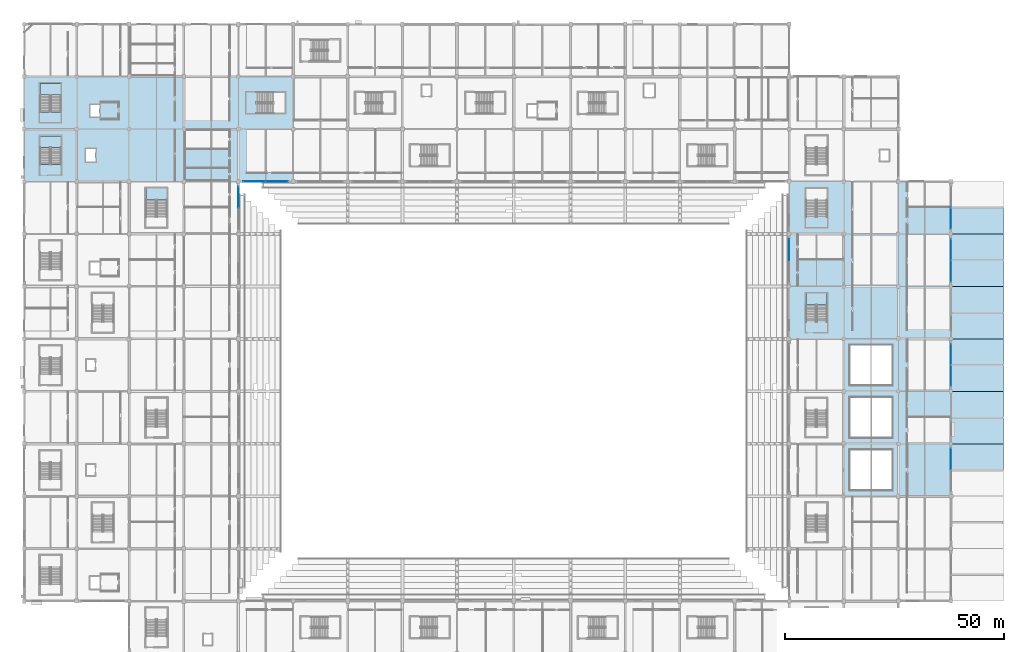
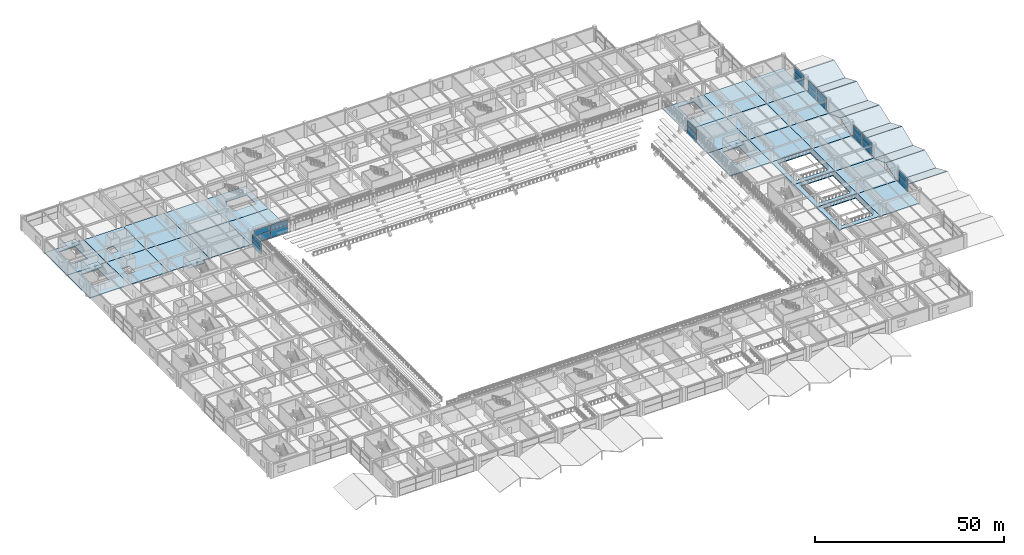
# One storey, part 69 of 134: 39 slabs, 20 plates, 11 elements without a shape of their own.
"""IFC4 building model written with IfcOpenShell, lengths in metres."""

from ifc_helpers import new_model, si_unit, direction, frame, origin, origin_2d, place, context, subcontext, project, spatial, polyline, rectangle, outline, extrude, material, layer, layer_set, type_object, element, aggregate, save


model = new_model("IFC4")

# Units and contexts
model_context = context("Model", 3, precision=1e-05, world=origin(), true_north=direction((0.0, 1.0)))
body_context = subcontext(model_context, "Body", "Model", "MODEL_VIEW")
ifc_project = project(units=[si_unit("LENGTHUNIT", "METRE"), si_unit("AREAUNIT", "SQUARE_METRE"), si_unit("VOLUMEUNIT", "CUBIC_METRE"), si_unit("PLANEANGLEUNIT", "RADIAN"), si_unit("MASSUNIT", "GRAM", prefix="KILO")], contexts=[model_context])

# Site, building, storey
site_placement = place(None, origin())
site = spatial("IfcSite", under=ifc_project, at=site_placement, CompositionType="ELEMENT")
building_placement = place(site_placement, origin())
building = spatial("IfcBuilding", under=site, at=building_placement, Name="Kazenohara Klinker Stadium", CompositionType="ELEMENT")
storey_placement = place(building_placement, frame((0.0, 0.0, 5.39990234375)))
storey = spatial("IfcBuildingStorey", under=building, at=storey_placement, Name="L01", CompositionType="ELEMENT", Elevation=5.39990234375)

# Curtain wall, plates
ifc_material_1 = material(Name="Anodised aluminium and triple glazing", Category="aluminium")
ifc_layer_1 = layer(ifc_material_1, 0.179931640625)
ifc_layer_set_1 = layer_set([ifc_layer_1], Name="Anodised aluminium and triple glazing")
curtain_wall_type_1 = type_object("IfcCurtainWallType", Name="CW-SYS-02", PredefinedType="USERDEFINED", material=ifc_layer_set_1)
curtain_wall_1_placement = place(storey_placement, origin())
curtain_wall_1 = element("IfcCurtainWall", 1, at=curtain_wall_1_placement, inside=storey, type_object=curtain_wall_type_1, Name="Unitised facade curtain wall CW02 L01 Y14-9", ObjectType="UNITISED CURTAIN WALL", PredefinedType="USERDEFINED")
ifc_material_2 = material(Name="Low-e laminated triple glazing", Category="glass")
ifc_layer_2 = layer(ifc_material_2, 0.035888671875)
ifc_layer_set_2 = layer_set([ifc_layer_2], Name="Low-e laminated triple glazing")
plate_type_1 = type_object("IfcPlateType", Name="CW-PNL-36", PredefinedType="CURTAIN_PANEL", material=ifc_layer_set_2)
plate_1_placement = place(storey_placement, frame((175.0, 116.3818359375, 0.065185546875), z_axis=(0.0, 0.0, 1.0), x_axis=(0.0, 1.0, 0.0)))
plate_1 = element("IfcPlate", 2, at=plate_1_placement, type_object=plate_type_1, Name="CW02 panel 2.1", PredefinedType="CURTAIN_PANEL", context=body_context, shape_type="SweptSolid", body=[
    extrude(rectangle(XDim=4.798583984375, YDim=0.035888671875, at=origin_2d()), origin(), (0.0, 0.0, 1.0), 2.21240234375),
])
plate_2_placement = place(storey_placement, frame((175.0, 116.3818359375, 2.342529296875), z_axis=(0.0, 0.0, 1.0), x_axis=(0.0, 1.0, 0.0)))
plate_2 = element("IfcPlate", 3, at=plate_2_placement, type_object=plate_type_1, Name="CW02 panel 2.2", PredefinedType="CURTAIN_PANEL", context=body_context, shape_type="SweptSolid", body=[
    extrude(rectangle(XDim=4.798583984375, YDim=0.035888671875, at=origin_2d()), origin(), (0.0, 0.0, 1.0), 1.79248046875),
])
aggregate(curtain_wall_1, [plate_1, plate_2])

ifc_layer_3 = layer(ifc_material_1, 0.199951171875)
ifc_layer_set_3 = layer_set([ifc_layer_3], Name="Anodised aluminium and triple glazing")
curtain_wall_type_2 = type_object("IfcCurtainWallType", Name="CW-SYS-03", PredefinedType="USERDEFINED", material=ifc_layer_set_3)
curtain_wall_2_placement = place(storey_placement, origin())
curtain_wall_2 = element("IfcCurtainWall", 4, at=curtain_wall_2_placement, inside=storey, type_object=curtain_wall_type_2, Name="Unitised facade curtain wall CW03 L01 Y17-5", ObjectType="UNITISED CURTAIN WALL", PredefinedType="USERDEFINED")
plate_3_placement = place(storey_placement, frame((212.0, 68.46923828125, 0.065185546875), z_axis=(0.0, 0.0, 1.0), x_axis=(0.0, 1.0, 0.0)))
plate_3 = element("IfcPlate", 5, at=plate_3_placement, type_object=plate_type_1, Name="CW03 panel 2.1", PredefinedType="CURTAIN_PANEL", context=body_context, shape_type="SweptSolid", body=[
    extrude(rectangle(XDim=4.823486328125, YDim=0.035888671875, at=origin_2d()), origin(), (0.0, 0.0, 1.0), 2.18505859375),
])
plate_4_placement = place(storey_placement, frame((212.0, 68.46923828125, 2.315185546875), z_axis=(0.0, 0.0, 1.0), x_axis=(0.0, 1.0, 0.0)))
plate_4 = element("IfcPlate", 6, at=plate_4_placement, type_object=plate_type_1, Name="CW03 panel 2.2", PredefinedType="CURTAIN_PANEL", context=body_context, shape_type="SweptSolid", body=[
    extrude(rectangle(XDim=4.823486328125, YDim=0.035888671875, at=origin_2d()), origin(), (0.0, 0.0, 1.0), 1.77001953125),
])
aggregate(curtain_wall_2, [plate_3, plate_4])

ifc_layer_4 = layer(ifc_material_1, 0.18994140625)
ifc_layer_set_4 = layer_set([ifc_layer_4], Name="Anodised aluminium and triple glazing")
curtain_wall_type_3 = type_object("IfcCurtainWallType", Name="CW-SYS-05", PredefinedType="USERDEFINED", material=ifc_layer_set_4)
curtain_wall_3_placement = place(storey_placement, origin())
curtain_wall_3 = element("IfcCurtainWall", 7, at=curtain_wall_3_placement, inside=storey, type_object=curtain_wall_type_3, Name="Unitised facade curtain wall CW05 L01 Y17-9", ObjectType="UNITISED CURTAIN WALL", PredefinedType="USERDEFINED")
plate_5_placement = place(storey_placement, frame((212.0, 111.518310546875, 0.065185546875), z_axis=(0.0, 0.0, 1.0), x_axis=(0.0, 1.0, 0.0)))
plate_5 = element("IfcPlate", 8, at=plate_5_placement, type_object=plate_type_1, Name="CW05 panel 1.1", PredefinedType="CURTAIN_PANEL", context=body_context, shape_type="SweptSolid", body=[
    extrude(rectangle(XDim=4.798583984375, YDim=0.035888671875, at=origin_2d()), origin(), (0.0, 0.0, 1.0), 2.18505859375),
])
plate_6_placement = place(storey_placement, frame((212.0, 111.518310546875, 2.315185546875), z_axis=(0.0, 0.0, 1.0), x_axis=(0.0, 1.0, 0.0)))
plate_6 = element("IfcPlate", 9, at=plate_6_placement, type_object=plate_type_1, Name="CW05 panel 1.2", PredefinedType="CURTAIN_PANEL", context=body_context, shape_type="SweptSolid", body=[
    extrude(rectangle(XDim=4.798583984375, YDim=0.035888671875, at=origin_2d()), origin(), (0.0, 0.0, 1.0), 1.77001953125),
])
plate_7_placement = place(storey_placement, frame((212.0, 116.3818359375, 0.065185546875), z_axis=(0.0, 0.0, 1.0), x_axis=(0.0, 1.0, 0.0)))
plate_7 = element("IfcPlate", 10, at=plate_7_placement, type_object=plate_type_1, Name="CW05 panel 2.1", PredefinedType="CURTAIN_PANEL", context=body_context, shape_type="SweptSolid", body=[
    extrude(rectangle(XDim=4.798583984375, YDim=0.035888671875, at=origin_2d()), origin(), (0.0, 0.0, 1.0), 2.18505859375),
])
plate_8_placement = place(storey_placement, frame((212.0, 116.3818359375, 2.315185546875), z_axis=(0.0, 0.0, 1.0), x_axis=(0.0, 1.0, 0.0)))
plate_8 = element("IfcPlate", 11, at=plate_8_placement, type_object=plate_type_1, Name="CW05 panel 2.2", PredefinedType="CURTAIN_PANEL", context=body_context, shape_type="SweptSolid", body=[
    extrude(rectangle(XDim=4.798583984375, YDim=0.035888671875, at=origin_2d()), origin(), (0.0, 0.0, 1.0), 1.77001953125),
])
aggregate(curtain_wall_3, [plate_5, plate_6, plate_7, plate_8])

curtain_wall_4_placement = place(storey_placement, origin())
curtain_wall_4 = element("IfcCurtainWall", 12, at=curtain_wall_4_placement, inside=storey, type_object=curtain_wall_type_1, Name="Unitised facade curtain wall CW02 L01 Y4-10", ObjectType="UNITISED CURTAIN WALL", PredefinedType="USERDEFINED")
ifc_layer_5 = layer(ifc_material_2, 0.0439453125)
ifc_layer_set_5 = layer_set([ifc_layer_5], Name="Low-e laminated triple glazing")
plate_type_2 = type_object("IfcPlateType", Name="CW-PNL-44", PredefinedType="CURTAIN_PANEL", material=ifc_layer_set_5)
plate_9_placement = place(storey_placement, frame((49.0, 128.379150390625, 0.0751953125), z_axis=(0.0, 0.0, 1.0), x_axis=(0.0, 1.0, 0.0)))
plate_9 = element("IfcPlate", 13, at=plate_9_placement, type_object=plate_type_2, Name="CW02 panel 2.1", PredefinedType="CURTAIN_PANEL", context=body_context, shape_type="SweptSolid", body=[
    extrude(rectangle(XDim=4.783447265625, YDim=0.0439453125, at=origin_2d()), origin(), (0.0, 0.0, 1.0), 2.169921875),
])
plate_10_placement = place(storey_placement, frame((49.0, 128.379150390625, 2.320068359375), z_axis=(0.0, 0.0, 1.0), x_axis=(0.0, 1.0, 0.0)))
plate_10 = element("IfcPlate", 14, at=plate_10_placement, type_object=plate_type_2, Name="CW02 panel 2.2", PredefinedType="CURTAIN_PANEL", context=body_context, shape_type="SweptSolid", body=[
    extrude(rectangle(XDim=4.783447265625, YDim=0.0439453125, at=origin_2d()), origin(), (0.0, 0.0, 1.0), 1.7548828125),
])
aggregate(curtain_wall_4, [plate_9, plate_10])

ifc_layer_6 = layer(ifc_material_1, 0.169921875)
ifc_layer_set_6 = layer_set([ifc_layer_6], Name="Anodised aluminium and triple glazing")
curtain_wall_type_4 = type_object("IfcCurtainWallType", Name="CW-SYS-04", PredefinedType="USERDEFINED", material=ifc_layer_set_6)
curtain_wall_5_placement = place(storey_placement, origin())
curtain_wall_5 = element("IfcCurtainWall", 15, at=curtain_wall_5_placement, inside=storey, type_object=curtain_wall_type_4, Name="Unitised facade curtain wall CW04 L01 X4-11", ObjectType="UNITISED CURTAIN WALL", PredefinedType="USERDEFINED")
plate_11_placement = place(storey_placement, frame((52.658203125, 132.0, 0.0751953125), z_axis=(0.0, 0.0, 1.0), x_axis=(1.0, 0.0, 0.0)))
plate_11 = element("IfcPlate", 16, at=plate_11_placement, type_object=plate_type_2, Name="CW04 panel 1.1", PredefinedType="CURTAIN_PANEL", context=body_context, shape_type="SweptSolid", body=[
    extrude(rectangle(XDim=5.05859375, YDim=0.0439453125, at=origin_2d()), origin(), (0.0, 0.0, 1.0), 2.197509765625),
])
plate_12_placement = place(storey_placement, frame((52.658203125, 132.0, 2.34765625), z_axis=(0.0, 0.0, 1.0), x_axis=(1.0, 0.0, 0.0)))
plate_12 = element("IfcPlate", 17, at=plate_12_placement, type_object=plate_type_2, Name="CW04 panel 1.2", PredefinedType="CURTAIN_PANEL", context=body_context, shape_type="SweptSolid", body=[
    extrude(rectangle(XDim=5.05859375, YDim=0.0439453125, at=origin_2d()), origin(), (0.0, 0.0, 1.0), 1.777587890625),
])
plate_13_placement = place(storey_placement, frame((57.791748046875, 132.0, 0.0751953125), z_axis=(0.0, 0.0, 1.0), x_axis=(1.0, 0.0, 0.0)))
plate_13 = element("IfcPlate", 18, at=plate_13_placement, type_object=plate_type_2, Name="CW04 panel 2.1", PredefinedType="CURTAIN_PANEL", context=body_context, shape_type="SweptSolid", body=[
    extrude(rectangle(XDim=5.05859375, YDim=0.0439453125, at=origin_2d()), origin(), (0.0, 0.0, 1.0), 2.197509765625),
])
plate_14_placement = place(storey_placement, frame((57.791748046875, 132.0, 2.34765625), z_axis=(0.0, 0.0, 1.0), x_axis=(1.0, 0.0, 0.0)))
plate_14 = element("IfcPlate", 19, at=plate_14_placement, type_object=plate_type_2, Name="CW04 panel 2.2", PredefinedType="CURTAIN_PANEL", context=body_context, shape_type="SweptSolid", body=[
    extrude(rectangle(XDim=5.05859375, YDim=0.0439453125, at=origin_2d()), origin(), (0.0, 0.0, 1.0), 1.777587890625),
])
aggregate(curtain_wall_5, [plate_11, plate_12, plate_13, plate_14])

curtain_wall_6_placement = place(storey_placement, origin())
curtain_wall_6 = element("IfcCurtainWall", 20, at=curtain_wall_6_placement, inside=storey, type_object=curtain_wall_type_4, Name="Unitised facade curtain wall CW04 L01 Y17-7", ObjectType="UNITISED CURTAIN WALL", PredefinedType="USERDEFINED")
plate_15_placement = place(storey_placement, frame((212.0, 87.608154296875, 0.0751953125), z_axis=(0.0, 0.0, 1.0), x_axis=(0.0, 1.0, 0.0)))
plate_15 = element("IfcPlate", 21, at=plate_15_placement, type_object=plate_type_2, Name="CW04 panel 1.1", PredefinedType="CURTAIN_PANEL", context=body_context, shape_type="SweptSolid", body=[
    extrude(rectangle(XDim=4.758544921875, YDim=0.0439453125, at=origin_2d()), origin(), (0.0, 0.0, 1.0), 2.169921875),
])
plate_16_placement = place(storey_placement, frame((212.0, 87.608154296875, 2.320068359375), z_axis=(0.0, 0.0, 1.0), x_axis=(0.0, 1.0, 0.0)))
plate_16 = element("IfcPlate", 22, at=plate_16_placement, type_object=plate_type_2, Name="CW04 panel 1.2", PredefinedType="CURTAIN_PANEL", context=body_context, shape_type="SweptSolid", body=[
    extrude(rectangle(XDim=4.758544921875, YDim=0.0439453125, at=origin_2d()), origin(), (0.0, 0.0, 1.0), 1.7548828125),
])
plate_17_placement = place(storey_placement, frame((212.0, 92.441650390625, 0.0751953125), z_axis=(0.0, 0.0, 1.0), x_axis=(0.0, 1.0, 0.0)))
plate_17 = element("IfcPlate", 23, at=plate_17_placement, type_object=plate_type_2, Name="CW04 panel 2.1", PredefinedType="CURTAIN_PANEL", context=body_context, shape_type="SweptSolid", body=[
    extrude(rectangle(XDim=4.758544921875, YDim=0.0439453125, at=origin_2d()), origin(), (0.0, 0.0, 1.0), 2.169921875),
])
plate_18_placement = place(storey_placement, frame((212.0, 92.441650390625, 2.320068359375), z_axis=(0.0, 0.0, 1.0), x_axis=(0.0, 1.0, 0.0)))
plate_18 = element("IfcPlate", 24, at=plate_18_placement, type_object=plate_type_2, Name="CW04 panel 2.2", PredefinedType="CURTAIN_PANEL", context=body_context, shape_type="SweptSolid", body=[
    extrude(rectangle(XDim=4.758544921875, YDim=0.0439453125, at=origin_2d()), origin(), (0.0, 0.0, 1.0), 1.7548828125),
])
aggregate(curtain_wall_6, [plate_15, plate_16, plate_17, plate_18])

ifc_layer_7 = layer(ifc_material_1, 0.159912109375)
ifc_layer_set_7 = layer_set([ifc_layer_7], Name="Anodised aluminium and triple glazing")
curtain_wall_type_5 = type_object("IfcCurtainWallType", Name="CW-SYS-01", PredefinedType="USERDEFINED", material=ifc_layer_set_7)
curtain_wall_7_placement = place(storey_placement, origin())
curtain_wall_7 = element("IfcCurtainWall", 25, at=curtain_wall_7_placement, inside=storey, type_object=curtain_wall_type_5, Name="Unitised facade curtain wall CW01 L01 Y17-10", ObjectType="UNITISED CURTAIN WALL", PredefinedType="USERDEFINED")
plate_19_placement = place(storey_placement, frame((212.0, 123.608154296875, 0.0751953125), z_axis=(0.0, 0.0, 1.0), x_axis=(0.0, 1.0, 0.0)))
plate_19 = element("IfcPlate", 26, at=plate_19_placement, type_object=plate_type_2, Name="CW01 panel 1.1", PredefinedType="CURTAIN_PANEL", context=body_context, shape_type="SweptSolid", body=[
    extrude(rectangle(XDim=4.758544921875, YDim=0.0439453125, at=origin_2d()), origin(), (0.0, 0.0, 1.0), 2.197509765625),
])
plate_20_placement = place(storey_placement, frame((212.0, 123.608154296875, 2.34765625), z_axis=(0.0, 0.0, 1.0), x_axis=(0.0, 1.0, 0.0)))
plate_20 = element("IfcPlate", 27, at=plate_20_placement, type_object=plate_type_2, Name="CW01 panel 1.2", PredefinedType="CURTAIN_PANEL", context=body_context, shape_type="SweptSolid", body=[
    extrude(rectangle(XDim=4.758544921875, YDim=0.0439453125, at=origin_2d()), origin(), (0.0, 0.0, 1.0), 1.777587890625),
])
aggregate(curtain_wall_7, [plate_19, plate_20])

# Slabs
ifc_material_3 = material(Name="Concrete C40/50", Category="concrete")
ifc_layer_8 = layer(ifc_material_3, 0.260009765625)
ifc_layer_set_8 = layer_set([ifc_layer_8], Name="Concrete C40/50")
slab_type_1 = type_object("IfcSlabType", Name="SLB-FLR-260", PredefinedType="FLOOR", material=ifc_layer_set_8)
slab_1_placement = place(storey_placement, frame((0.0, 0.0, -0.260009765625)))
element("IfcSlab", 28, at=slab_1_placement, inside=storey, type_object=slab_type_1, Name="Floor slab FS02 L01 1/M", PredefinedType="FLOOR", context=body_context, shape_type="SweptSolid", body=[
    extrude(outline(polyline([(0.0, 132.0), (12.0, 132.0), (12.0, 144.0), (0.0, 144.0), (0.0, 132.0)]), holes=[polyline([(8.39990234375, 135.919921875), (8.39990234375, 142.4599609375), (3.60009765625, 142.4599609375), (3.60009765625, 135.919921875), (8.39990234375, 135.919921875)])]), origin(), (0.0, 0.0, 1.0), 0.260009765625),
])
slab_2_placement = place(storey_placement, frame((0.0, 0.0, -0.260009765625)))
element("IfcSlab", 29, at=slab_2_placement, inside=storey, type_object=slab_type_1, Name="Floor slab FS02 L01 1/N", PredefinedType="FLOOR", context=body_context, shape_type="SweptSolid", body=[
    extrude(outline(polyline([(0.0, 144.0), (12.0, 144.0), (12.0, 156.0), (0.0, 156.0), (0.0, 144.0)]), holes=[polyline([(8.409912109375, 147.929931640625), (8.409912109375, 154.4599609375), (3.590087890625, 154.4599609375), (3.590087890625, 147.929931640625), (8.409912109375, 147.929931640625)])]), origin(), (0.0, 0.0, 1.0), 0.260009765625),
])
slab_3_placement = place(storey_placement, frame((0.0, 0.0, -0.260009765625)))
element("IfcSlab", 30, at=slab_3_placement, inside=storey, type_object=slab_type_1, Name="Floor slab FS02 L01 2/M", PredefinedType="FLOOR", context=body_context, shape_type="SweptSolid", body=[
    extrude(outline(polyline([(12.0, 132.0), (24.0, 132.0), (24.0, 144.0), (12.0, 144.0), (12.0, 132.0)]), holes=[polyline([(14.050048828125, 136.550048828125), (16.35009765625, 136.550048828125), (16.35009765625, 139.449951171875), (14.050048828125, 139.449951171875), (14.050048828125, 136.550048828125)])]), origin(), (0.0, 0.0, 1.0), 0.260009765625),
])
slab_4_placement = place(storey_placement, frame((0.0, 0.0, -0.260009765625)))
element("IfcSlab", 31, at=slab_4_placement, inside=storey, type_object=slab_type_1, Name="Floor slab FS02 L01 2/N", PredefinedType="FLOOR", context=body_context, shape_type="SweptSolid", body=[
    extrude(outline(polyline([(12.0, 144.0), (24.0, 144.0), (24.0, 156.0), (12.0, 156.0), (12.0, 144.0)]), holes=[polyline([(15.14990234375, 146.85009765625), (17.25, 146.85009765625), (17.25, 149.550048828125), (15.14990234375, 149.550048828125), (15.14990234375, 146.85009765625)])]), origin(), (0.0, 0.0, 1.0), 0.260009765625),
])
slab_5_placement = place(storey_placement, frame((0.0, 0.0, -0.260009765625)))
element("IfcSlab", 32, at=slab_5_placement, inside=storey, type_object=slab_type_1, Name="Floor slab FS02 L01 3/M", PredefinedType="FLOOR", context=body_context, shape_type="SweptSolid", body=[
    extrude(outline(polyline([(24.0, 132.0), (36.5, 132.0), (36.5, 144.0), (24.0, 144.0), (24.0, 132.0)])), origin(), (0.0, 0.0, 1.0), 0.260009765625),
])
slab_6_placement = place(storey_placement, frame((0.0, 0.0, -0.260009765625)))
element("IfcSlab", 33, at=slab_6_placement, inside=storey, type_object=slab_type_1, Name="Floor slab FS02 L01 3/N", PredefinedType="FLOOR", context=body_context, shape_type="SweptSolid", body=[
    extrude(outline(polyline([(24.0, 144.0), (36.5, 144.0), (36.5, 156.0), (24.0, 156.0), (24.0, 144.0)])), origin(), (0.0, 0.0, 1.0), 0.260009765625),
])
slab_7_placement = place(storey_placement, frame((0.0, 0.0, -0.260009765625)))
element("IfcSlab", 34, at=slab_7_placement, inside=storey, type_object=slab_type_1, Name="Floor slab FS02 L01 4/M", PredefinedType="FLOOR", context=body_context, shape_type="SweptSolid", body=[
    extrude(outline(polyline([(36.5, 132.0), (49.0, 132.0), (49.0, 144.0), (36.5, 144.0), (36.5, 132.0)])), origin(), (0.0, 0.0, 1.0), 0.260009765625),
])
slab_8_placement = place(storey_placement, frame((0.0, 0.0, -0.260009765625)))
element("IfcSlab", 35, at=slab_8_placement, inside=storey, type_object=slab_type_1, Name="Floor slab FS02 L01 4/N", PredefinedType="FLOOR", context=body_context, shape_type="SweptSolid", body=[
    extrude(outline(polyline([(36.5, 144.0), (49.0, 144.0), (49.0, 156.0), (36.5, 156.0), (36.5, 144.0)])), origin(), (0.0, 0.0, 1.0), 0.260009765625),
])
slab_9_placement = place(storey_placement, frame((0.0, 0.0, -0.260009765625)))
element("IfcSlab", 36, at=slab_9_placement, inside=storey, type_object=slab_type_1, Name="Floor slab FS02 L01 5/M", PredefinedType="FLOOR", context=body_context, shape_type="SweptSolid", body=[
    extrude(outline(polyline([(49.0, 132.0), (61.5, 132.0), (61.5, 144.0), (49.0, 144.0), (49.0, 132.0)])), origin(), (0.0, 0.0, 1.0), 0.260009765625),
])
slab_10_placement = place(storey_placement, frame((0.0, 0.0, -0.260009765625)))
element("IfcSlab", 37, at=slab_10_placement, inside=storey, type_object=slab_type_1, Name="Floor slab FS02 L01 5/N", PredefinedType="FLOOR", context=body_context, shape_type="SweptSolid", body=[
    extrude(outline(polyline([(49.0, 144.0), (61.5, 144.0), (61.5, 156.0), (49.0, 156.0), (49.0, 144.0)]), holes=[polyline([(53.2099609375, 147.56005859375), (59.7099609375, 147.56005859375), (59.7099609375, 152.43994140625), (53.2099609375, 152.43994140625), (53.2099609375, 147.56005859375)])]), origin(), (0.0, 0.0, 1.0), 0.260009765625),
])
slab_11_placement = place(storey_placement, frame((0.0, 0.0, -0.260009765625)))
element("IfcSlab", 38, at=slab_11_placement, inside=storey, type_object=slab_type_1, Name="Floor slab FS02 L01 15/J", PredefinedType="FLOOR", context=body_context, shape_type="SweptSolid", body=[
    extrude(outline(polyline([(175.0, 96.0), (187.5, 96.0), (187.5, 108.0), (175.0, 108.0), (175.0, 96.0)]), holes=[polyline([(183.679931640625, 99.949951171875), (183.679931640625, 106.4599609375), (178.820068359375, 106.4599609375), (178.820068359375, 99.949951171875), (183.679931640625, 99.949951171875)])]), origin(), (0.0, 0.0, 1.0), 0.260009765625),
])
slab_12_placement = place(storey_placement, frame((0.0, 0.0, -0.260009765625)))
element("IfcSlab", 39, at=slab_12_placement, inside=storey, type_object=slab_type_1, Name="Floor slab FS02 L01 15/K", PredefinedType="FLOOR", context=body_context, shape_type="SweptSolid", body=[
    extrude(outline(polyline([(175.0, 108.0), (187.5, 108.0), (187.5, 120.0), (175.0, 120.0), (175.0, 108.0)])), origin(), (0.0, 0.0, 1.0), 0.260009765625),
])
slab_13_placement = place(storey_placement, frame((0.0, 0.0, -0.260009765625)))
element("IfcSlab", 40, at=slab_13_placement, inside=storey, type_object=slab_type_1, Name="Floor slab FS02 L01 15/L", PredefinedType="FLOOR", context=body_context, shape_type="SweptSolid", body=[
    extrude(outline(polyline([(175.0, 120.0), (187.5, 120.0), (187.5, 132.0), (175.0, 132.0), (175.0, 120.0)]), holes=[polyline([(183.68994140625, 123.9599609375), (183.68994140625, 130.4599609375), (178.81005859375, 130.4599609375), (178.81005859375, 123.9599609375), (183.68994140625, 123.9599609375)])]), origin(), (0.0, 0.0, 1.0), 0.260009765625),
])
slab_14_placement = place(storey_placement, frame((0.0, 0.0, -0.260009765625)))
element("IfcSlab", 41, at=slab_14_placement, inside=storey, type_object=slab_type_1, Name="Floor slab FS02 L01 16/F", PredefinedType="FLOOR", context=body_context, shape_type="SweptSolid", body=[
    extrude(outline(polyline([(187.5, 60.0), (200.0, 60.0), (200.0, 72.0), (187.5, 72.0), (187.5, 60.0)]), holes=[polyline([(188.89990234375, 61.39990234375), (198.60009765625, 61.39990234375), (198.60009765625, 70.60009765625), (188.89990234375, 70.60009765625), (188.89990234375, 61.39990234375)])]), origin(), (0.0, 0.0, 1.0), 0.260009765625),
])
slab_15_placement = place(storey_placement, frame((0.0, 0.0, -0.260009765625)))
element("IfcSlab", 42, at=slab_15_placement, inside=storey, type_object=slab_type_1, Name="Floor slab FS02 L01 16/G", PredefinedType="FLOOR", context=body_context, shape_type="SweptSolid", body=[
    extrude(outline(polyline([(187.5, 72.0), (200.0, 72.0), (200.0, 84.0), (187.5, 84.0), (187.5, 72.0)]), holes=[polyline([(188.89990234375, 73.39990234375), (198.60009765625, 73.39990234375), (198.60009765625, 82.60009765625), (188.89990234375, 82.60009765625), (188.89990234375, 73.39990234375)])]), origin(), (0.0, 0.0, 1.0), 0.260009765625),
])
slab_16_placement = place(storey_placement, frame((0.0, 0.0, -0.260009765625)))
element("IfcSlab", 43, at=slab_16_placement, inside=storey, type_object=slab_type_1, Name="Floor slab FS02 L01 16/H", PredefinedType="FLOOR", context=body_context, shape_type="SweptSolid", body=[
    extrude(outline(polyline([(187.5, 84.0), (200.0, 84.0), (200.0, 96.0), (187.5, 96.0), (187.5, 84.0)]), holes=[polyline([(188.89990234375, 85.39990234375), (198.60009765625, 85.39990234375), (198.60009765625, 94.60009765625), (188.89990234375, 94.60009765625), (188.89990234375, 85.39990234375)])]), origin(), (0.0, 0.0, 1.0), 0.260009765625),
])
slab_17_placement = place(storey_placement, frame((0.0, 0.0, -0.260009765625)))
element("IfcSlab", 44, at=slab_17_placement, inside=storey, type_object=slab_type_1, Name="Floor slab FS02 L01 16/J", PredefinedType="FLOOR", context=body_context, shape_type="SweptSolid", body=[
    extrude(outline(polyline([(187.5, 96.0), (200.0, 96.0), (200.0, 108.0), (187.5, 108.0), (187.5, 96.0)])), origin(), (0.0, 0.0, 1.0), 0.260009765625),
])
slab_18_placement = place(storey_placement, frame((0.0, 0.0, -0.260009765625)))
element("IfcSlab", 45, at=slab_18_placement, inside=storey, type_object=slab_type_1, Name="Floor slab FS02 L01 16/K", PredefinedType="FLOOR", context=body_context, shape_type="SweptSolid", body=[
    extrude(outline(polyline([(187.5, 108.0), (200.0, 108.0), (200.0, 120.0), (187.5, 120.0), (187.5, 108.0)])), origin(), (0.0, 0.0, 1.0), 0.260009765625),
])
slab_19_placement = place(storey_placement, frame((0.0, 0.0, -0.260009765625)))
element("IfcSlab", 46, at=slab_19_placement, inside=storey, type_object=slab_type_1, Name="Floor slab FS02 L01 16/L", PredefinedType="FLOOR", context=body_context, shape_type="SweptSolid", body=[
    extrude(outline(polyline([(187.5, 120.0), (200.0, 120.0), (200.0, 132.0), (187.5, 132.0), (187.5, 120.0)])), origin(), (0.0, 0.0, 1.0), 0.260009765625),
])
slab_20_placement = place(storey_placement, frame((0.0, 0.0, -0.260009765625)))
element("IfcSlab", 47, at=slab_20_placement, inside=storey, type_object=slab_type_1, Name="Floor slab FS02 L01 17/F", PredefinedType="FLOOR", context=body_context, shape_type="SweptSolid", body=[
    extrude(outline(polyline([(200.0, 60.0), (212.0, 60.0), (212.0, 72.0), (200.0, 72.0), (200.0, 60.0)])), origin(), (0.0, 0.0, 1.0), 0.260009765625),
])
slab_21_placement = place(storey_placement, frame((0.0, 0.0, -0.260009765625)))
element("IfcSlab", 48, at=slab_21_placement, inside=storey, type_object=slab_type_1, Name="Floor slab FS02 L01 17/G", PredefinedType="FLOOR", context=body_context, shape_type="SweptSolid", body=[
    extrude(outline(polyline([(200.0, 72.0), (212.0, 72.0), (212.0, 84.0), (200.0, 84.0), (200.0, 72.0)])), origin(), (0.0, 0.0, 1.0), 0.260009765625),
])
slab_22_placement = place(storey_placement, frame((0.0, 0.0, -0.260009765625)))
element("IfcSlab", 49, at=slab_22_placement, inside=storey, type_object=slab_type_1, Name="Floor slab FS02 L01 17/H", PredefinedType="FLOOR", context=body_context, shape_type="SweptSolid", body=[
    extrude(outline(polyline([(200.0, 84.0), (212.0, 84.0), (212.0, 96.0), (200.0, 96.0), (200.0, 84.0)])), origin(), (0.0, 0.0, 1.0), 0.260009765625),
])
slab_23_placement = place(storey_placement, frame((0.0, 0.0, -0.260009765625)))
element("IfcSlab", 50, at=slab_23_placement, inside=storey, type_object=slab_type_1, Name="Floor slab FS02 L01 17/J", PredefinedType="FLOOR", context=body_context, shape_type="SweptSolid", body=[
    extrude(outline(polyline([(200.0, 96.0), (212.0, 96.0), (212.0, 108.0), (200.0, 108.0), (200.0, 96.0)])), origin(), (0.0, 0.0, 1.0), 0.260009765625),
])
slab_24_placement = place(storey_placement, frame((0.0, 0.0, -0.260009765625)))
element("IfcSlab", 51, at=slab_24_placement, inside=storey, type_object=slab_type_1, Name="Floor slab FS02 L01 17/K", PredefinedType="FLOOR", context=body_context, shape_type="SweptSolid", body=[
    extrude(outline(polyline([(200.0, 108.0), (212.0, 108.0), (212.0, 120.0), (200.0, 120.0), (200.0, 108.0)])), origin(), (0.0, 0.0, 1.0), 0.260009765625),
])
slab_25_placement = place(storey_placement, frame((0.0, 0.0, -0.260009765625)))
element("IfcSlab", 52, at=slab_25_placement, inside=storey, type_object=slab_type_1, Name="Floor slab FS02 L01 17/L", PredefinedType="FLOOR", context=body_context, shape_type="SweptSolid", body=[
    extrude(outline(polyline([(200.0, 120.0), (212.0, 120.0), (212.0, 132.0), (200.0, 132.0), (200.0, 120.0)])), origin(), (0.0, 0.0, 1.0), 0.260009765625),
])

# Stair, slab
stair_type_1 = type_object("IfcStairType", Name="STR-DL-2300", PredefinedType="HALF_TURN_STAIR", material=ifc_material_3)
stair_1_placement = place(storey_placement, origin())
stair_1 = element("IfcStair", 53, at=stair_1_placement, inside=storey, type_object=stair_type_1, Name="L01 Enclosed escape stair ST05", PredefinedType="HALF_TURN_STAIR")
ifc_layer_9 = layer(ifc_material_3, 0.199951171875)
ifc_layer_set_9 = layer_set([ifc_layer_9], Name="Concrete C40/50")
slab_type_2 = type_object("IfcSlabType", Name="SLB-LND-200", PredefinedType="LANDING", material=ifc_layer_set_9)
slab_26_placement = place(storey_placement, frame((0.0, 0.0, 2.2001953125)))
slab_26 = element("IfcSlab", 54, at=slab_26_placement, type_object=slab_type_2, Name="ST05 landing 1", PredefinedType="LANDING", context=body_context, shape_type="SweptSolid", body=[
    extrude(outline(polyline([(8.39990234375, 139.760009765625), (8.39990234375, 142.4599609375), (3.60009765625, 142.4599609375), (3.60009765625, 139.760009765625), (8.39990234375, 139.760009765625)])), origin(), (0.0, 0.0, 1.0), 0.199951171875),
])
aggregate(stair_1, [slab_26])

stair_type_2 = type_object("IfcStairType", Name="STR-DL-2310", PredefinedType="HALF_TURN_STAIR", material=ifc_material_3)
stair_2_placement = place(storey_placement, origin())
stair_2 = element("IfcStair", 55, at=stair_2_placement, inside=storey, type_object=stair_type_2, Name="L01 Enclosed escape stair ST06", PredefinedType="HALF_TURN_STAIR")
slab_27_placement = place(storey_placement, frame((0.0, 0.0, 2.2001953125)))
slab_27 = element("IfcSlab", 56, at=slab_27_placement, type_object=slab_type_2, Name="ST06 landing 1", PredefinedType="LANDING", context=body_context, shape_type="SweptSolid", body=[
    extrude(outline(polyline([(8.409912109375, 151.77001953125), (8.409912109375, 154.4599609375), (3.590087890625, 154.4599609375), (3.590087890625, 151.77001953125), (8.409912109375, 151.77001953125)])), origin(), (0.0, 0.0, 1.0), 0.199951171875),
])
aggregate(stair_2, [slab_27])

stair_3_placement = place(storey_placement, origin())
stair_3 = element("IfcStair", 57, at=stair_3_placement, inside=storey, type_object=stair_type_2, Name="L01 Enclosed escape stair ST18", PredefinedType="HALF_TURN_STAIR")
slab_28_placement = place(storey_placement, frame((0.0, 0.0, 2.2001953125)))
slab_28 = element("IfcSlab", 58, at=slab_28_placement, type_object=slab_type_2, Name="ST18 landing 1", PredefinedType="LANDING", context=body_context, shape_type="SweptSolid", body=[
    extrude(outline(polyline([(32.659912109375, 127.77001953125), (32.659912109375, 130.4599609375), (27.840087890625, 130.4599609375), (27.840087890625, 127.77001953125), (32.659912109375, 127.77001953125)])), origin(), (0.0, 0.0, 1.0), 0.199951171875),
])
aggregate(stair_3, [slab_28])

stair_type_3 = type_object("IfcStairType", Name="STR-DL-2330", PredefinedType="HALF_TURN_STAIR", material=ifc_material_3)
stair_4_placement = place(storey_placement, origin())
stair_4 = element("IfcStair", 59, at=stair_4_placement, inside=storey, type_object=stair_type_3, Name="L01 Enclosed escape stair ST23", PredefinedType="HALF_TURN_STAIR")
slab_29_placement = place(storey_placement, frame((0.0, 0.0, 2.2001953125)))
slab_29 = element("IfcSlab", 60, at=slab_29_placement, type_object=slab_type_2, Name="ST23 landing 1", PredefinedType="LANDING", context=body_context, shape_type="SweptSolid", body=[
    extrude(outline(polyline([(183.679931640625, 103.7900390625), (183.679931640625, 106.4599609375), (178.820068359375, 106.4599609375), (178.820068359375, 103.7900390625), (183.679931640625, 103.7900390625)])), origin(), (0.0, 0.0, 1.0), 0.199951171875),
])
aggregate(stair_4, [slab_29])

# Slabs
ifc_material_4 = material(Name="Steel S355", Category="steel")
ifc_layer_10 = layer(ifc_material_4, 0.169921875)
ifc_layer_set_10 = layer_set([ifc_layer_10], Name="Steel S355")
slab_type_3 = type_object("IfcSlabType", Name="SLB-ROOF-170", PredefinedType="ROOF", material=ifc_layer_set_10)
slab_30_placement = place(storey_placement, frame((212.0, 66.050048828125, 2.47021484375), z_axis=(0.0, 0.39392840207, 0.919141128469), x_axis=(1.0, 0.0, 0.0)))
element("IfcSlab", 61, at=slab_30_placement, inside=storey, type_object=slab_type_3, Name="Sloped snow-shedding wing roof RS02 L01 18/F B", PredefinedType="ROOF", context=body_context, shape_type="SweptSolid", body=[
    extrude(outline(polyline([(0.0, 0.0), (12.0, 0.0), (12.0, 6.473381494514158), (0.0, 6.473381494514158), (0.0, 0.0)])), origin(), (0.0, 0.0, -1.0), 0.169921875),
])
for number, where, z_axis, x_axis, name in (
    (62, (212.0, 72.0, -0.079833984375), (0.0, -0.3398274788, 0.940487790805), (1.0, 0.0, 0.0), "Sloped snow-shedding wing roof RS02 L01 18/G A"),
    (63, (212.0, 78.050048828125, 2.070068359375), (0.0, 0.3398274788, 0.940487790805), (1.0, 0.0, 0.0), "Sloped snow-shedding wing roof RS02 L01 18/G B"),
):
    element("IfcSlab", number, at=place(storey_placement, frame(where, z_axis=z_axis, x_axis=x_axis)), inside=storey, type_object=slab_type_3, Name=name, PredefinedType="ROOF", context=body_context, shape_type="SweptSolid", body=[
        extrude(outline(polyline([(0.0, 0.0), (12.0, 0.0), (12.0, 6.326452326174476), (0.0, 6.326452326174476), (0.0, 0.0)])), origin(), (0.0, 0.0, -1.0), 0.169921875),
    ])
for number, where, z_axis, x_axis, name in (
    (64, (212.0, 84.0, -0.079833984375), (0.0, -0.39392840207, 0.919141128469), (1.0, 0.0, 0.0), "Sloped snow-shedding wing roof RS02 L01 18/H A"),
    (65, (212.0, 90.050048828125, 2.47021484375), (0.0, 0.39392840207, 0.919141128469), (1.0, 0.0, 0.0), "Sloped snow-shedding wing roof RS02 L01 18/H B"),
):
    element("IfcSlab", number, at=place(storey_placement, frame(where, z_axis=z_axis, x_axis=x_axis)), inside=storey, type_object=slab_type_3, Name=name, PredefinedType="ROOF", context=body_context, shape_type="SweptSolid", body=[
        extrude(outline(polyline([(0.0, 0.0), (12.0, 0.0), (12.0, 6.473381494514158), (0.0, 6.473381494514158), (0.0, 0.0)])), origin(), (0.0, 0.0, -1.0), 0.169921875),
    ])
for number, where, z_axis, x_axis, name in (
    (66, (212.0, 96.0, -0.079833984375), (0.0, -0.3398274788, 0.940487790805), (1.0, 0.0, 0.0), "Sloped snow-shedding wing roof RS02 L01 18/J A"),
    (67, (212.0, 102.050048828125, 2.070068359375), (0.0, 0.3398274788, 0.940487790805), (1.0, 0.0, 0.0), "Sloped snow-shedding wing roof RS02 L01 18/J B"),
):
    element("IfcSlab", number, at=place(storey_placement, frame(where, z_axis=z_axis, x_axis=x_axis)), inside=storey, type_object=slab_type_3, Name=name, PredefinedType="ROOF", context=body_context, shape_type="SweptSolid", body=[
        extrude(outline(polyline([(0.0, 0.0), (12.0, 0.0), (12.0, 6.326452326174476), (0.0, 6.326452326174476), (0.0, 0.0)])), origin(), (0.0, 0.0, -1.0), 0.169921875),
    ])
for number, where, z_axis, x_axis, name in (
    (68, (212.0, 108.0, -0.079833984375), (0.0, -0.39392840207, 0.919141128469), (1.0, 0.0, 0.0), "Sloped snow-shedding wing roof RS02 L01 18/K A"),
    (69, (212.0, 114.050048828125, 2.47021484375), (0.0, 0.39392840207, 0.919141128469), (1.0, 0.0, 0.0), "Sloped snow-shedding wing roof RS02 L01 18/K B"),
):
    element("IfcSlab", number, at=place(storey_placement, frame(where, z_axis=z_axis, x_axis=x_axis)), inside=storey, type_object=slab_type_3, Name=name, PredefinedType="ROOF", context=body_context, shape_type="SweptSolid", body=[
        extrude(outline(polyline([(0.0, 0.0), (12.0, 0.0), (12.0, 6.473381494514158), (0.0, 6.473381494514158), (0.0, 0.0)])), origin(), (0.0, 0.0, -1.0), 0.169921875),
    ])
slab_31_placement = place(storey_placement, frame((212.0, 120.0, -0.079833984375), z_axis=(0.0, -0.3398274788, 0.940487790805), x_axis=(1.0, 0.0, 0.0)))
element("IfcSlab", 70, at=slab_31_placement, inside=storey, type_object=slab_type_3, Name="Sloped snow-shedding wing roof RS02 L01 18/L A", PredefinedType="ROOF", context=body_context, shape_type="SweptSolid", body=[
    extrude(outline(polyline([(0.0, 0.0), (12.0, 0.0), (12.0, 6.326452326174476), (0.0, 6.326452326174476), (0.0, 0.0)])), origin(), (0.0, 0.0, -1.0), 0.169921875),
])

save(model, "model.ifc")
